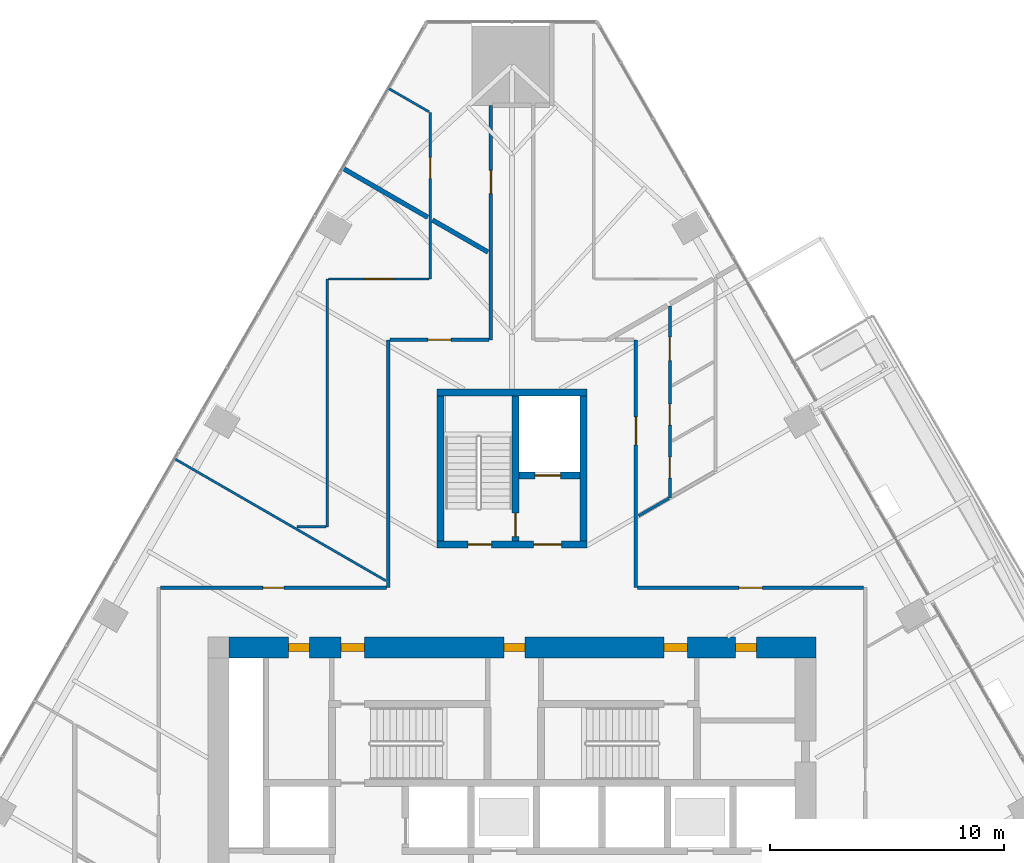
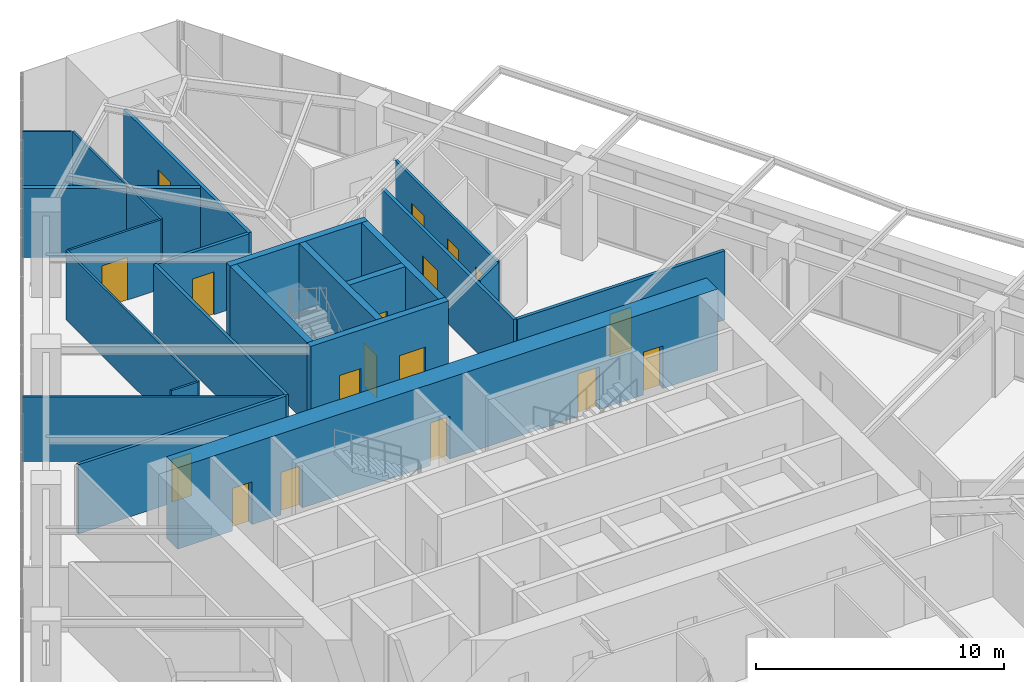
# One storey, part 24 of 29: 23 walls, 19 doors, 19 openings.
"""IFC4 building model written with IfcOpenShell, lengths in metres."""

from ifc_helpers import new_model, si_unit, direction, frame, frame_2d, origin, place, context, subcontext, project, spatial, rectangle, extrude, material, layer, layer_set, type_object, element, fill, save


model = new_model("IFC4")

# Units and contexts
model_context = context("Model", 3, precision=1e-05, world=origin(), true_north=direction((0.0, 1.0)))
body_context = subcontext(model_context, "Body", "Model", "MODEL_VIEW")
ifc_project = project(units=[si_unit("LENGTHUNIT", "METRE"), si_unit("AREAUNIT", "SQUARE_METRE"), si_unit("VOLUMEUNIT", "CUBIC_METRE"), si_unit("PLANEANGLEUNIT", "RADIAN"), si_unit("MASSUNIT", "GRAM", prefix="KILO")], contexts=[model_context])

# Site, building, storey
site_placement = place(None, origin())
site = spatial("IfcSite", under=ifc_project, at=site_placement, CompositionType="ELEMENT")
building_placement = place(site_placement, origin())
building = spatial("IfcBuilding", under=site, at=building_placement, Name="Firuza Gate Tower and Library", CompositionType="ELEMENT")
storey_placement = place(building_placement, frame((0.0, 0.0, 48.39990234375)))
storey = spatial("IfcBuildingStorey", under=building, at=storey_placement, Name="L10", CompositionType="ELEMENT", Elevation=48.39990234375)

# Wall, openings, doors
ifc_material_1 = material(Name="Concrete C80/95", Category="concrete")
ifc_layer_1 = layer(ifc_material_1, 0.300048828125)
ifc_layer_set_1 = layer_set([ifc_layer_1], Name="Core wall 300 C80/95")
wall_type_1 = type_object("IfcWallType", Name="Core wall 300 C80/95", PredefinedType="SHEAR", material=ifc_layer_set_1)
wall_1_placement = place(storey_placement, frame((71.800048828125, 87.949951171875, 0.0), z_axis=(0.0, 0.0, 1.0), x_axis=(1.0, 0.0, 0.0)))
wall_1 = element("IfcWall", 1, at=wall_1_placement, inside=storey, type_object=wall_type_1, Name="Core wall L10 34", PredefinedType="SHEAR", context=body_context, shape_type="SweptSolid", body=[
    extrude(rectangle(XDim=6.39990234375, YDim=0.300048828125, at=frame_2d((3.199951171875, 0.0))), origin(), (0.0, 0.0, 1.0), 4.0),
])
opening_1_placement = place(wall_1_placement, frame((1.324951171875, 0.0, 0.0)))
opening_1 = element("IfcOpeningElement", 2, at=opening_1_placement, cuts=wall_1, Name="Opening L10-K17", PredefinedType="OPENING", context=body_context, shape_type="SweptSolid", body=[
    extrude(rectangle(XDim=1.0, YDim=2.10009765625, at=frame_2d((0.5, 1.050048828125))), frame((0.0, 0.16015625, 0.0), z_axis=(0.0, -1.0, 0.0), x_axis=(1.0, 0.0, 0.0)), (0.0, 0.0, 1.0), 0.320068359375),
])
opening_2_placement = place(wall_1_placement, frame((4.125, 0.0, 0.0)))
opening_2 = element("IfcOpeningElement", 3, at=opening_2_placement, cuts=wall_1, Name="Opening L10-K19", PredefinedType="OPENING", context=body_context, shape_type="SweptSolid", body=[
    extrude(rectangle(XDim=1.199951171875, YDim=2.10009765625, at=frame_2d((0.60009765625, 1.050048828125))), frame((0.0, 0.16015625, 0.0), z_axis=(0.0, -1.0, 0.0), x_axis=(1.0, 0.0, 0.0)), (0.0, 0.0, 1.0), 0.320068359375),
])
ifc_material_2 = material(Name="Steel", Category="steel")
door_type_1 = type_object("IfcDoorType", Name="Fire door 1000x2100 FD90", OperationType="NOTDEFINED", PredefinedType="DOOR", material=ifc_material_2)
door_1_placement = place(opening_1_placement, origin())
door_1 = element("IfcDoor", 4, at=door_1_placement, inside=storey, type_object=door_type_1, Name="Door L10-K17", OperationType="SINGLE_SWING_RIGHT", OverallHeight=2.10009765625, OverallWidth=1.0, PredefinedType="DOOR", context=body_context, shape_type="SweptSolid", body=[
    extrude(rectangle(XDim=1.0, YDim=2.10009765625, at=frame_2d((0.5, 1.050048828125))), frame((0.0, 0.02490234375, 0.0), z_axis=(0.0, -1.0, 0.0), x_axis=(1.0, 0.0, 0.0)), (0.0, 0.0, 1.0), 0.050048828125),
])
fill(opening_1, door_1)
ifc_material_3 = material(Name="Steel", Category="steel")
door_type_2 = type_object("IfcDoorType", Name="Fire door 1200x2100 FD30S", OperationType="NOTDEFINED", PredefinedType="DOOR", material=ifc_material_3)
door_2_placement = place(opening_2_placement, origin())
door_2 = element("IfcDoor", 5, at=door_2_placement, inside=storey, type_object=door_type_2, Name="Door L10-K19", OperationType="SINGLE_SWING_RIGHT", OverallHeight=2.10009765625, OverallWidth=1.199951171875, PredefinedType="DOOR", context=body_context, shape_type="SweptSolid", body=[
    extrude(rectangle(XDim=1.199951171875, YDim=2.10009765625, at=frame_2d((0.60009765625, 1.050048828125))), frame((0.0, 0.02490234375, 0.0), z_axis=(0.0, -1.0, 0.0), x_axis=(1.0, 0.0, 0.0)), (0.0, 0.0, 1.0), 0.050048828125),
])
fill(opening_2, door_2)

# Walls
wall_2_placement = place(storey_placement, frame((71.800048828125, 94.449951171875, 0.0), z_axis=(0.0, 0.0, 1.0), x_axis=(1.0, 0.0, 0.0)))
element("IfcWall", 6, at=wall_2_placement, inside=storey, type_object=wall_type_1, Name="Core wall L10 35", PredefinedType="SHEAR", context=body_context, shape_type="SweptSolid", body=[
    extrude(rectangle(XDim=6.39990234375, YDim=0.300048828125, at=frame_2d((3.199951171875, 0.0))), origin(), (0.0, 0.0, 1.0), 4.0),
])
for number, where, z_axis, x_axis, name in (
    (7, (71.949951171875, 88.10009765625, 0.0), (0.0, 0.0, 1.0), (0.0, 1.0, 0.0), "Core wall L10 36"),
    (8, (78.050048828125, 88.10009765625, 0.0), (0.0, 0.0, 1.0), (0.0, 1.0, 0.0), "Core wall L10 37"),
):
    element("IfcWall", number, at=place(storey_placement, frame(where, z_axis=z_axis, x_axis=x_axis)), inside=storey, type_object=wall_type_1, Name=name, PredefinedType="SHEAR", context=body_context, shape_type="SweptSolid", body=[
        extrude(rectangle(XDim=6.199951171875, YDim=0.300048828125, at=frame_2d((3.10009765625, 0.0))), origin(), (0.0, 0.0, 1.0), 4.0),
    ])

# Wall, opening, door
wall_3_placement = place(storey_placement, frame((75.300048828125, 90.89990234375, 0.0), z_axis=(0.0, 0.0, 1.0), x_axis=(1.0, 0.0, 0.0)))
wall_3 = element("IfcWall", 9, at=wall_3_placement, inside=storey, type_object=wall_type_1, Name="Core wall L10 38", PredefinedType="SHEAR", context=body_context, shape_type="SweptSolid", body=[
    extrude(rectangle(XDim=2.599853515625, YDim=0.300048828125, at=frame_2d((1.2998046875, 0.0))), origin(), (0.0, 0.0, 1.0), 4.0),
])
opening_3_placement = place(wall_3_placement, frame((0.675048828125, 0.0, 0.0)))
opening_3 = element("IfcOpeningElement", 10, at=opening_3_placement, cuts=wall_3, Name="Opening LD-SV1-L10", PredefinedType="OPENING", context=body_context, shape_type="SweptSolid", body=[
    extrude(rectangle(XDim=1.10009765625, YDim=2.10009765625, at=frame_2d((0.550048828125, 1.050048828125))), frame((0.0, 0.16015625, 0.0), z_axis=(0.0, -1.0, 0.0), x_axis=(1.0, 0.0, 0.0)), (0.0, 0.0, 1.0), 0.320068359375),
])
ifc_material_4 = material(Name="Stainless steel", Category="steel")
door_type_3 = type_object("IfcDoorType", Name="Lift landing door 1100x2100", OperationType="DOUBLE_DOOR_SLIDING", PredefinedType="DOOR", material=ifc_material_4)
door_3_placement = place(opening_3_placement, origin())
door_3 = element("IfcDoor", 11, at=door_3_placement, inside=storey, type_object=door_type_3, Name="Landing door SV1 L10", OperationType="DOUBLE_DOOR_SLIDING", OverallHeight=2.10009765625, OverallWidth=1.10009765625, PredefinedType="DOOR", context=body_context, shape_type="SweptSolid", body=[
    extrude(rectangle(XDim=1.10009765625, YDim=2.10009765625, at=frame_2d((0.550048828125, 1.050048828125))), frame((0.0, 0.02490234375, 0.0), z_axis=(0.0, -1.0, 0.0), x_axis=(1.0, 0.0, 0.0)), (0.0, 0.0, 1.0), 0.050048828125),
])
fill(opening_3, door_3)

wall_4_placement = place(storey_placement, frame((75.14990234375, 88.10009765625, 0.0), z_axis=(0.0, 0.0, 1.0), x_axis=(0.0, 1.0, 0.0)))
wall_4 = element("IfcWall", 12, at=wall_4_placement, inside=storey, type_object=wall_type_1, Name="Core wall L10 39", PredefinedType="SHEAR", context=body_context, shape_type="SweptSolid", body=[
    extrude(rectangle(XDim=6.199951171875, YDim=0.300048828125, at=frame_2d((3.10009765625, 0.0))), origin(), (0.0, 0.0, 1.0), 4.0),
])
opening_4_placement = place(wall_4_placement, frame((0.18505859375, 0.0, 0.0)))
opening_4 = element("IfcOpeningElement", 13, at=opening_4_placement, cuts=wall_4, Name="Opening L10-K18", PredefinedType="OPENING", context=body_context, shape_type="SweptSolid", body=[
    extrude(rectangle(XDim=1.0, YDim=2.10009765625, at=frame_2d((0.5, 1.050048828125))), frame((0.0, 0.16015625, 0.0), z_axis=(0.0, -1.0, 0.0), x_axis=(1.0, 0.0, 0.0)), (0.0, 0.0, 1.0), 0.320068359375),
])
door_4_placement = place(opening_4_placement, origin())
door_4 = element("IfcDoor", 14, at=door_4_placement, inside=storey, type_object=door_type_1, Name="Door L10-K18", OperationType="SINGLE_SWING_LEFT", OverallHeight=2.10009765625, OverallWidth=1.0, PredefinedType="DOOR", context=body_context, shape_type="SweptSolid", body=[
    extrude(rectangle(XDim=1.0, YDim=2.10009765625, at=frame_2d((0.5, 1.050048828125))), frame((0.0, 0.02490234375, 0.0), z_axis=(0.0, -1.0, 0.0), x_axis=(1.0, 0.0, 0.0)), (0.0, 0.0, 1.0), 0.050048828125),
])
fill(opening_4, door_4)

# Wall, openings, doors
ifc_material_5 = material(Name="Concrete C80/95", Category="concrete")
ifc_layer_2 = layer(ifc_material_5, 0.89990234375)
ifc_layer_set_2 = layer_set([ifc_layer_2], Name="Core wall 900 C80/95")
wall_type_2 = type_object("IfcWallType", Name="Core wall 900 C80/95", PredefinedType="SHEAR", material=ifc_layer_set_2)
wall_5_placement = place(storey_placement, frame((62.89990234375, 83.550048828125, 0.0), z_axis=(0.0, 0.0, 1.0), x_axis=(1.0, 0.0, 0.0)))
wall_5 = element("IfcWall", 15, at=wall_5_placement, inside=storey, type_object=wall_type_2, Name="Core wall L10 2", PredefinedType="SHEAR", context=body_context, shape_type="SweptSolid", body=[
    extrude(rectangle(XDim=25.10009765625, YDim=0.89990234375, at=frame_2d((12.550048828125, 0.0))), origin(), (0.0, 0.0, 1.0), 4.0),
])
opening_5_placement = place(wall_5_placement, frame((4.794921875, 0.0, 0.0)))
opening_5 = element("IfcOpeningElement", 16, at=opening_5_placement, cuts=wall_5, Name="Opening L10-K14", PredefinedType="OPENING", context=body_context, shape_type="SweptSolid", body=[
    extrude(rectangle(XDim=1.0, YDim=2.10009765625, at=frame_2d((0.5, 1.050048828125))), frame((0.0, 0.4599609375, 0.0), z_axis=(0.0, -1.0, 0.0), x_axis=(1.0, 0.0, 0.0)), (0.0, 0.0, 1.0), 0.919921875),
])
opening_6_placement = place(wall_5_placement, frame((18.60498046875, 0.0, 0.0)))
opening_6 = element("IfcOpeningElement", 17, at=opening_6_placement, cuts=wall_5, Name="Opening L10-K16", PredefinedType="OPENING", context=body_context, shape_type="SweptSolid", body=[
    extrude(rectangle(XDim=1.0, YDim=2.10009765625, at=frame_2d((0.5, 1.050048828125))), frame((0.0, 0.4599609375, 0.0), z_axis=(0.0, -1.0, 0.0), x_axis=(1.0, 0.0, 0.0)), (0.0, 0.0, 1.0), 0.919921875),
])
opening_7_placement = place(wall_5_placement, frame((2.550048828125, 0.0, 0.0)))
opening_7 = element("IfcOpeningElement", 18, at=opening_7_placement, cuts=wall_5, Name="Opening L10-K29", PredefinedType="OPENING", context=body_context, shape_type="SweptSolid", body=[
    extrude(rectangle(XDim=0.89990234375, YDim=2.10009765625, at=frame_2d((0.449951171875, 1.050048828125))), frame((0.0, 0.4599609375, 0.0), z_axis=(0.0, -1.0, 0.0), x_axis=(1.0, 0.0, 0.0)), (0.0, 0.0, 1.0), 0.919921875),
])
opening_8_placement = place(wall_5_placement, frame((11.75, 0.0, 0.0)))
opening_8 = element("IfcOpeningElement", 19, at=opening_8_placement, cuts=wall_5, Name="Opening L10-K30", PredefinedType="OPENING", context=body_context, shape_type="SweptSolid", body=[
    extrude(rectangle(XDim=0.89990234375, YDim=2.10009765625, at=frame_2d((0.449951171875, 1.050048828125))), frame((0.0, 0.4599609375, 0.0), z_axis=(0.0, -1.0, 0.0), x_axis=(1.0, 0.0, 0.0)), (0.0, 0.0, 1.0), 0.919921875),
])
opening_9_placement = place(wall_5_placement, frame((21.64990234375, 0.0, 0.0)))
opening_9 = element("IfcOpeningElement", 20, at=opening_9_placement, cuts=wall_5, Name="Opening L10-K32", PredefinedType="OPENING", context=body_context, shape_type="SweptSolid", body=[
    extrude(rectangle(XDim=0.89990234375, YDim=2.10009765625, at=frame_2d((0.449951171875, 1.050048828125))), frame((0.0, 0.4599609375, 0.0), z_axis=(0.0, -1.0, 0.0), x_axis=(1.0, 0.0, 0.0)), (0.0, 0.0, 1.0), 0.919921875),
])
door_5_placement = place(opening_5_placement, origin())
door_5 = element("IfcDoor", 21, at=door_5_placement, inside=storey, type_object=door_type_1, Name="Door L10-K14", OperationType="SINGLE_SWING_LEFT", OverallHeight=2.10009765625, OverallWidth=1.0, PredefinedType="DOOR", context=body_context, shape_type="SweptSolid", body=[
    extrude(rectangle(XDim=1.0, YDim=2.10009765625, at=frame_2d((0.5, 1.050048828125))), frame((0.0, 0.169921875, 0.0), z_axis=(0.0, -1.0, 0.0), x_axis=(1.0, 0.0, 0.0)), (0.0, 0.0, 1.0), 0.33984375),
])
fill(opening_5, door_5)
door_6_placement = place(opening_6_placement, origin())
door_6 = element("IfcDoor", 22, at=door_6_placement, inside=storey, type_object=door_type_1, Name="Door L10-K16", OperationType="SINGLE_SWING_LEFT", OverallHeight=2.10009765625, OverallWidth=1.0, PredefinedType="DOOR", context=body_context, shape_type="SweptSolid", body=[
    extrude(rectangle(XDim=1.0, YDim=2.10009765625, at=frame_2d((0.5, 1.050048828125))), frame((0.0, 0.169921875, 0.0), z_axis=(0.0, -1.0, 0.0), x_axis=(1.0, 0.0, 0.0)), (0.0, 0.0, 1.0), 0.33984375),
])
fill(opening_6, door_6)
ifc_material_6 = material(Name="Steel", Category="steel")
door_type_4 = type_object("IfcDoorType", Name="Fire door 900x2100 FD30S", OperationType="NOTDEFINED", PredefinedType="DOOR", material=ifc_material_6)
door_7_placement = place(opening_7_placement, origin())
door_7 = element("IfcDoor", 23, at=door_7_placement, inside=storey, type_object=door_type_4, Name="Door L10-K29", OperationType="SINGLE_SWING_RIGHT", OverallHeight=2.10009765625, OverallWidth=0.89990234375, PredefinedType="DOOR", context=body_context, shape_type="SweptSolid", body=[
    extrude(rectangle(XDim=0.89990234375, YDim=2.10009765625, at=frame_2d((0.449951171875, 1.050048828125))), frame((0.0, 0.169921875, 0.0), z_axis=(0.0, -1.0, 0.0), x_axis=(1.0, 0.0, 0.0)), (0.0, 0.0, 1.0), 0.33984375),
])
fill(opening_7, door_7)
door_8_placement = place(opening_8_placement, origin())
door_8 = element("IfcDoor", 24, at=door_8_placement, inside=storey, type_object=door_type_4, Name="Door L10-K30", OperationType="SINGLE_SWING_LEFT", OverallHeight=2.10009765625, OverallWidth=0.89990234375, PredefinedType="DOOR", context=body_context, shape_type="SweptSolid", body=[
    extrude(rectangle(XDim=0.89990234375, YDim=2.10009765625, at=frame_2d((0.449951171875, 1.050048828125))), frame((0.0, 0.169921875, 0.0), z_axis=(0.0, -1.0, 0.0), x_axis=(1.0, 0.0, 0.0)), (0.0, 0.0, 1.0), 0.33984375),
])
fill(opening_8, door_8)
door_9_placement = place(opening_9_placement, origin())
door_9 = element("IfcDoor", 25, at=door_9_placement, inside=storey, type_object=door_type_4, Name="Door L10-K32", OperationType="SINGLE_SWING_LEFT", OverallHeight=2.10009765625, OverallWidth=0.89990234375, PredefinedType="DOOR", context=body_context, shape_type="SweptSolid", body=[
    extrude(rectangle(XDim=0.89990234375, YDim=2.10009765625, at=frame_2d((0.449951171875, 1.050048828125))), frame((0.0, 0.169921875, 0.0), z_axis=(0.0, -1.0, 0.0), x_axis=(1.0, 0.0, 0.0)), (0.0, 0.0, 1.0), 0.33984375),
])
fill(opening_9, door_9)

# Wall, opening, door
ifc_material_7 = material(Name="Gypsum board partition")
ifc_layer_3 = layer(ifc_material_7, 0.14990234375)
ifc_layer_set_3 = layer_set([ifc_layer_3], Name="Corridor wall 150 double board on steel studs")
wall_type_3 = type_object("IfcWallType", Name="Corridor wall 150 double board on steel studs", PredefinedType="PARTITIONING", material=ifc_layer_set_3)
wall_6_placement = place(storey_placement, frame((69.625, 86.10009765625, 0.0), z_axis=(0.0, 0.0, 1.0), x_axis=(-1.0, 0.0, 0.0)))
wall_6 = element("IfcWall", 26, at=wall_6_placement, inside=storey, type_object=wall_type_3, Name="f:L10:w003", PredefinedType="PARTITIONING", context=body_context, shape_type="SweptSolid", body=[
    extrude(rectangle(XDim=9.6494140625, YDim=0.14990234375, at=frame_2d((4.82470703125, 0.0))), origin(), (0.0, 0.0, 1.0), 3.400146484375),
])
opening_10_placement = place(wall_6_placement, frame((4.374755859375, 0.0, 0.0)))
opening_10 = element("IfcOpeningElement", 27, at=opening_10_placement, cuts=wall_6, Name="Opening L10-05", PredefinedType="OPENING", context=body_context, shape_type="SweptSolid", body=[
    extrude(rectangle(XDim=0.89990234375, YDim=2.10009765625, at=frame_2d((0.449951171875, 1.050048828125))), frame((0.0, 0.0849609375, 0.0), z_axis=(0.0, -1.0, 0.0), x_axis=(1.0, 0.0, 0.0)), (0.0, 0.0, 1.0), 0.169921875),
])
ifc_material_8 = material(Name="Steel door and timber leaf", Category="steel")
door_type_5 = type_object("IfcDoorType", Name="Fire door 900 x 2100 steel frame, timber leaf", OperationType="NOTDEFINED", PredefinedType="DOOR", material=ifc_material_8)
door_10_placement = place(opening_10_placement, origin())
door_10 = element("IfcDoor", 28, at=door_10_placement, inside=storey, type_object=door_type_5, Name="f:L10:d005", OperationType="SINGLE_SWING_LEFT", OverallHeight=2.10009765625, OverallWidth=0.89990234375, PredefinedType="DOOR", context=body_context, shape_type="SweptSolid", body=[
    extrude(rectangle(XDim=0.89990234375, YDim=2.10009765625, at=frame_2d((0.449951171875, 1.050048828125))), frame((0.0, 0.02490234375, 0.0), z_axis=(0.0, -1.0, 0.0), x_axis=(1.0, 0.0, 0.0)), (0.0, 0.0, 1.0), 0.050048828125),
])
fill(opening_10, door_10)

wall_7_placement = place(storey_placement, frame((80.375, 86.10009765625, 0.0), z_axis=(0.0, 0.0, 1.0), x_axis=(1.0, 0.0, 0.0)))
wall_7 = element("IfcWall", 29, at=wall_7_placement, inside=storey, type_object=wall_type_3, Name="f:L10:w004", PredefinedType="PARTITIONING", context=body_context, shape_type="SweptSolid", body=[
    extrude(rectangle(XDim=9.6494140625, YDim=0.14990234375, at=frame_2d((4.82470703125, 0.0))), origin(), (0.0, 0.0, 1.0), 3.400146484375),
])
opening_11_placement = place(wall_7_placement, frame((4.32470703125, 0.0, 0.0)))
opening_11 = element("IfcOpeningElement", 30, at=opening_11_placement, cuts=wall_7, Name="Opening L10-06", PredefinedType="OPENING", context=body_context, shape_type="SweptSolid", body=[
    extrude(rectangle(XDim=1.0, YDim=2.10009765625, at=frame_2d((0.5, 1.050048828125))), frame((0.0, 0.0849609375, 0.0), z_axis=(0.0, -1.0, 0.0), x_axis=(1.0, 0.0, 0.0)), (0.0, 0.0, 1.0), 0.169921875),
])
ifc_material_9 = material(Name="Steel door and timber leaf", Category="steel")
door_type_6 = type_object("IfcDoorType", Name="Fire door 1000 x 2100 steel frame, timber leaf", OperationType="NOTDEFINED", PredefinedType="DOOR", material=ifc_material_9)
door_11_placement = place(opening_11_placement, origin())
door_11 = element("IfcDoor", 31, at=door_11_placement, inside=storey, type_object=door_type_6, Name="f:L10:d006", OperationType="SINGLE_SWING_LEFT", OverallHeight=2.10009765625, OverallWidth=1.0, PredefinedType="DOOR", context=body_context, shape_type="SweptSolid", body=[
    extrude(rectangle(XDim=1.0, YDim=2.10009765625, at=frame_2d((0.5, 1.050048828125))), frame((0.0, 0.02490234375, 0.0), z_axis=(0.0, -1.0, 0.0), x_axis=(1.0, 0.0, 0.0)), (0.0, 0.0, 1.0), 0.050048828125),
])
fill(opening_11, door_11)

wall_8_placement = place(storey_placement, frame((74.02490234375, 96.699951171875, 0.0), z_axis=(0.0, 0.0, 1.0), x_axis=(-1.0, 0.0, 0.0)))
wall_8 = element("IfcWall", 32, at=wall_8_placement, inside=storey, type_object=wall_type_3, Name="f:L10:w006", PredefinedType="PARTITIONING", context=body_context, shape_type="SweptSolid", body=[
    extrude(rectangle(XDim=4.25, YDim=0.14990234375, at=frame_2d((2.125, 0.0))), origin(), (0.0, 0.0, 1.0), 3.400146484375),
])
opening_12_placement = place(wall_8_placement, frame((1.625, 0.0, 0.0)))
opening_12 = element("IfcOpeningElement", 33, at=opening_12_placement, cuts=wall_8, Name="Opening L10-07", PredefinedType="OPENING", context=body_context, shape_type="SweptSolid", body=[
    extrude(rectangle(XDim=1.0, YDim=2.10009765625, at=frame_2d((0.5, 1.050048828125))), frame((0.0, 0.0849609375, 0.0), z_axis=(0.0, -1.0, 0.0), x_axis=(1.0, 0.0, 0.0)), (0.0, 0.0, 1.0), 0.169921875),
])
door_12_placement = place(opening_12_placement, origin())
door_12 = element("IfcDoor", 34, at=door_12_placement, inside=storey, type_object=door_type_6, Name="f:L10:d007", OperationType="SINGLE_SWING_RIGHT", OverallHeight=2.10009765625, OverallWidth=1.0, PredefinedType="DOOR", context=body_context, shape_type="SweptSolid", body=[
    extrude(rectangle(XDim=1.0, YDim=2.10009765625, at=frame_2d((0.5, 1.050048828125))), frame((0.0, 0.02490234375, 0.0), z_axis=(0.0, -1.0, 0.0), x_axis=(1.0, 0.0, 0.0)), (0.0, 0.0, 1.0), 0.050048828125),
])
fill(opening_12, door_12)

wall_9_placement = place(storey_placement, frame((80.300048828125, 96.699951171875, 0.0), z_axis=(0.0, 0.0, 1.0), x_axis=(0.0, -1.0, 0.0)))
wall_9 = element("IfcWall", 35, at=wall_9_placement, inside=storey, type_object=wall_type_3, Name="f:L10:w035", PredefinedType="PARTITIONING", context=body_context, shape_type="SweptSolid", body=[
    extrude(rectangle(XDim=10.599853515625, YDim=0.14990234375, at=frame_2d((5.2998046875, 0.0))), origin(), (0.0, 0.0, 1.0), 3.400146484375),
])
opening_13_placement = place(wall_9_placement, frame((3.2978515625, 0.0, 0.0)))
opening_13 = element("IfcOpeningElement", 36, at=opening_13_placement, cuts=wall_9, Name="Opening L10-24", PredefinedType="OPENING", context=body_context, shape_type="SweptSolid", body=[
    extrude(rectangle(XDim=1.199951171875, YDim=2.10009765625, at=frame_2d((0.60009765625, 1.050048828125))), frame((0.0, 0.0849609375, 0.0), z_axis=(0.0, -1.0, 0.0), x_axis=(1.0, 0.0, 0.0)), (0.0, 0.0, 1.0), 0.169921875),
])
ifc_material_10 = material(Name="Steel door and timber leaf", Category="steel")
door_type_7 = type_object("IfcDoorType", Name="Fire door 1200 x 2100 steel frame, double leaf", OperationType="NOTDEFINED", PredefinedType="DOOR", material=ifc_material_10)
door_13_placement = place(opening_13_placement, origin())
door_13 = element("IfcDoor", 37, at=door_13_placement, inside=storey, type_object=door_type_7, Name="f:L10:d024", OperationType="DOUBLE_DOOR_SINGLE_SWING", OverallHeight=2.10009765625, OverallWidth=1.199951171875, PredefinedType="DOOR", context=body_context, shape_type="SweptSolid", body=[
    extrude(rectangle(XDim=1.199951171875, YDim=2.10009765625, at=frame_2d((0.60009765625, 1.050048828125))), frame((0.0, 0.02490234375, 0.0), z_axis=(0.0, -1.0, 0.0), x_axis=(1.0, 0.0, 0.0)), (0.0, 0.0, 1.0), 0.050048828125),
])
fill(opening_13, door_13)

wall_10_placement = place(storey_placement, frame((74.10009765625, 96.699951171875, 0.0), z_axis=(0.0, 0.0, 1.0), x_axis=(0.0, 1.0, 0.0)))
wall_10 = element("IfcWall", 38, at=wall_10_placement, inside=storey, type_object=wall_type_3, Name="f:L10:w042", PredefinedType="PARTITIONING", context=body_context, shape_type="SweptSolid", body=[
    extrude(rectangle(XDim=10.019775390625, YDim=0.14990234375, at=frame_2d((5.009765625, 0.0))), origin(), (0.0, 0.0, 1.0), 3.400146484375),
])
opening_14_placement = place(wall_10_placement, frame((6.246337890625, 0.0, 0.0)))
opening_14 = element("IfcOpeningElement", 39, at=opening_14_placement, cuts=wall_10, Name="Opening L10-25", PredefinedType="OPENING", context=body_context, shape_type="SweptSolid", body=[
    extrude(rectangle(XDim=1.0, YDim=2.10009765625, at=frame_2d((0.5, 1.050048828125))), frame((0.0, 0.0849609375, 0.0), z_axis=(0.0, -1.0, 0.0), x_axis=(1.0, 0.0, 0.0)), (0.0, 0.0, 1.0), 0.169921875),
])
door_14_placement = place(opening_14_placement, origin())
door_14 = element("IfcDoor", 40, at=door_14_placement, inside=storey, type_object=door_type_6, Name="f:L10:d025", OperationType="SINGLE_SWING_RIGHT", OverallHeight=2.10009765625, OverallWidth=1.0, PredefinedType="DOOR", context=body_context, shape_type="SweptSolid", body=[
    extrude(rectangle(XDim=1.0, YDim=2.10009765625, at=frame_2d((0.5, 1.050048828125))), frame((0.0, 0.02490234375, 0.0), z_axis=(0.0, -1.0, 0.0), x_axis=(1.0, 0.0, 0.0)), (0.0, 0.0, 1.0), 0.050048828125),
])
fill(opening_14, door_14)

# Walls
wall_11_placement = place(storey_placement, frame((69.699951171875, 86.10009765625, 0.0), z_axis=(0.0, 0.0, 1.0), x_axis=(0.0, 1.0, 0.0)))
element("IfcWall", 41, at=wall_11_placement, inside=storey, type_object=wall_type_3, Name="f:L10:w044", PredefinedType="PARTITIONING", context=body_context, shape_type="SweptSolid", body=[
    extrude(rectangle(XDim=10.599853515625, YDim=0.14990234375, at=frame_2d((5.2998046875, 0.0))), origin(), (0.0, 0.0, 1.0), 3.400146484375),
])
ifc_material_11 = material(Name="Gypsum board partition")
ifc_layer_4 = layer(ifc_material_11, 0.199951171875)
ifc_layer_set_4 = layer_set([ifc_layer_4], Name="Demising wall 200 acoustic double stud")
wall_type_4 = type_object("IfcWallType", Name="Demising wall 200 acoustic double stud", PredefinedType="PARTITIONING", material=ifc_layer_set_4)
wall_12_placement = place(storey_placement, frame((73.972900390625, 100.44921875, 0.0), z_axis=(0.0, 0.0, 1.0), x_axis=(-0.866035715982, 0.499982138324, 0.0)))
element("IfcWall", 42, at=wall_12_placement, inside=storey, type_object=wall_type_4, Name="f:L10:w058", PredefinedType="PARTITIONING", context=body_context, shape_type="SweptSolid", body=[
    extrude(rectangle(XDim=2.73974609375, YDim=0.199951171875, at=frame_2d((1.369873046875, 0.0))), origin(), (0.0, 0.0, 1.0), 3.400146484375),
])
wall_13_placement = place(storey_placement, frame((71.39990234375, 101.9345703125, 0.0), z_axis=(0.0, 0.0, 1.0), x_axis=(-0.866003715822, 0.500037562771, 0.0)))
element("IfcWall", 43, at=wall_13_placement, inside=storey, type_object=wall_type_4, Name="f:L10:w077", PredefinedType="PARTITIONING", context=body_context, shape_type="SweptSolid", body=[
    extrude(rectangle(XDim=4.202880859375, YDim=0.199951171875, at=frame_2d((2.1015625, 0.0))), origin(), (0.0, 0.0, 1.0), 3.400146484375),
])
ifc_material_12 = material(Name="Gypsum board partition")
ifc_layer_5 = layer(ifc_material_12, 0.10009765625)
ifc_layer_set_5 = layer_set([ifc_layer_5], Name="Partition 100 gypsum board on steel studs")
wall_type_5 = type_object("IfcWallType", Name="Partition 100 gypsum board on steel studs", PredefinedType="PARTITIONING", material=ifc_layer_set_5)
wall_14_placement = place(storey_placement, frame((65.811767578125, 88.699951171875, 0.0), z_axis=(0.0, 0.0, 1.0), x_axis=(1.0, 0.0, 0.0)))
element("IfcWall", 44, at=wall_14_placement, inside=storey, type_object=wall_type_5, Name="f:L10:w005", PredefinedType="PARTITIONING", context=body_context, shape_type="SweptSolid", body=[
    extrude(rectangle(XDim=1.23828125, YDim=0.10009765625, at=frame_2d((0.619140625, 0.0))), origin(), (0.0, 0.0, 1.0), 3.400146484375),
])

# Wall, opening, door
wall_15_placement = place(storey_placement, frame((71.449951171875, 99.300048828125, 0.0), z_axis=(0.0, 0.0, 1.0), x_axis=(-1.0, 0.0, 0.0)))
wall_15 = element("IfcWall", 45, at=wall_15_placement, inside=storey, type_object=wall_type_5, Name="f:L10:w008", PredefinedType="PARTITIONING", context=body_context, shape_type="SweptSolid", body=[
    extrude(rectangle(XDim=4.300048828125, YDim=0.10009765625, at=frame_2d((2.14990234375, 0.0))), origin(), (0.0, 0.0, 1.0), 3.400146484375),
])
opening_15_placement = place(wall_15_placement, frame((1.550048828125, 0.0, 0.0)))
opening_15 = element("IfcOpeningElement", 46, at=opening_15_placement, cuts=wall_15, Name="Opening L10-09", PredefinedType="OPENING", context=body_context, shape_type="SweptSolid", body=[
    extrude(rectangle(XDim=1.199951171875, YDim=2.10009765625, at=frame_2d((0.60009765625, 1.050048828125))), frame((0.0, 0.06005859375, 0.0), z_axis=(0.0, -1.0, 0.0), x_axis=(1.0, 0.0, 0.0)), (0.0, 0.0, 1.0), 0.1201171875),
])
ifc_material_13 = material(Name="Glazed aluminium door", Category="aluminium")
door_type_8 = type_object("IfcDoorType", Name="Door 1200 x 2100 glazed double leaf", OperationType="NOTDEFINED", PredefinedType="DOOR", material=ifc_material_13)
door_15_placement = place(opening_15_placement, origin())
door_15 = element("IfcDoor", 47, at=door_15_placement, inside=storey, type_object=door_type_8, Name="f:L10:d009", OperationType="DOUBLE_DOOR_SINGLE_SWING", OverallHeight=2.10009765625, OverallWidth=1.199951171875, PredefinedType="DOOR", context=body_context, shape_type="SweptSolid", body=[
    extrude(rectangle(XDim=1.199951171875, YDim=2.10009765625, at=frame_2d((0.60009765625, 1.050048828125))), frame((0.0, 0.02490234375, 0.0), z_axis=(0.0, -1.0, 0.0), x_axis=(1.0, 0.0, 0.0)), (0.0, 0.0, 1.0), 0.050048828125),
])
fill(opening_15, door_15)

wall_16_placement = place(storey_placement, frame((71.5, 106.418212890625, 0.0), z_axis=(0.0, 0.0, 1.0), x_axis=(0.0, -1.0, 0.0)))
wall_16 = element("IfcWall", 48, at=wall_16_placement, inside=storey, type_object=wall_type_5, Name="f:L10:w043", PredefinedType="PARTITIONING", context=body_context, shape_type="SweptSolid", body=[
    extrude(rectangle(XDim=7.1181640625, YDim=0.10009765625, at=frame_2d((3.55908203125, 0.0))), origin(), (0.0, 0.0, 1.0), 3.400146484375),
])
opening_16_placement = place(wall_16_placement, frame((1.920654296875, 0.0, 0.0)))
opening_16 = element("IfcOpeningElement", 49, at=opening_16_placement, cuts=wall_16, Name="Opening L10-26", PredefinedType="OPENING", context=body_context, shape_type="SweptSolid", body=[
    extrude(rectangle(XDim=0.89990234375, YDim=2.10009765625, at=frame_2d((0.449951171875, 1.050048828125))), frame((0.0, 0.06005859375, 0.0), z_axis=(0.0, -1.0, 0.0), x_axis=(1.0, 0.0, 0.0)), (0.0, 0.0, 1.0), 0.1201171875),
])
ifc_material_14 = material(Name="Timber door", Category="wood")
door_type_9 = type_object("IfcDoorType", Name="Door 900 x 2100 timber leaf", OperationType="NOTDEFINED", PredefinedType="DOOR", material=ifc_material_14)
door_16_placement = place(opening_16_placement, origin())
door_16 = element("IfcDoor", 50, at=door_16_placement, inside=storey, type_object=door_type_9, Name="f:L10:d026", OperationType="SINGLE_SWING_RIGHT", OverallHeight=2.10009765625, OverallWidth=0.89990234375, PredefinedType="DOOR", context=body_context, shape_type="SweptSolid", body=[
    extrude(rectangle(XDim=0.89990234375, YDim=2.10009765625, at=frame_2d((0.449951171875, 1.050048828125))), frame((0.0, 0.02490234375, 0.0), z_axis=(0.0, -1.0, 0.0), x_axis=(1.0, 0.0, 0.0)), (0.0, 0.0, 1.0), 0.050048828125),
])
fill(opening_16, door_16)

# Walls
wall_17_placement = place(storey_placement, frame((67.10009765625, 88.699951171875, 0.0), z_axis=(0.0, 0.0, 1.0), x_axis=(0.0, 1.0, 0.0)))
element("IfcWall", 51, at=wall_17_placement, inside=storey, type_object=wall_type_5, Name="f:L10:w045", PredefinedType="PARTITIONING", context=body_context, shape_type="SweptSolid", body=[
    extrude(rectangle(XDim=10.60009765625, YDim=0.10009765625, at=frame_2d((5.300048828125, 0.0))), origin(), (0.0, 0.0, 1.0), 3.400146484375),
])
wall_18_placement = place(storey_placement, frame((71.449951171875, 106.447265625, 0.0), z_axis=(0.0, 0.0, 1.0), x_axis=(-0.866022120267, 0.500005687176, 0.0)))
element("IfcWall", 52, at=wall_18_placement, inside=storey, type_object=wall_type_5, Name="f:L10:w057", PredefinedType="PARTITIONING", context=body_context, shape_type="SweptSolid", body=[
    extrude(rectangle(XDim=1.98974609375, YDim=0.10009765625, at=frame_2d((0.994873046875, 0.0))), origin(), (0.0, 0.0, 1.0), 3.400146484375),
])
wall_19_placement = place(storey_placement, frame((69.598876953125, 86.403564453125, 0.0), z_axis=(0.0, 0.0, 1.0), x_axis=(-0.866034815185, 0.499983698621, 0.0)))
element("IfcWall", 53, at=wall_19_placement, inside=storey, type_object=wall_type_5, Name="f:L10:w059", PredefinedType="PARTITIONING", context=body_context, shape_type="SweptSolid", body=[
    extrude(rectangle(XDim=10.408447265625, YDim=0.10009765625, at=frame_2d((5.2041015625, 0.0))), origin(), (0.0, 0.0, 1.0), 3.1650390625),
])
ifc_material_15 = material(Name="Gypsum board partition")
ifc_layer_6 = layer(ifc_material_15, 0.1201171875)
ifc_layer_set_6 = layer_set([ifc_layer_6], Name="Wet-area partition 120 moisture-resistant board")
wall_type_6 = type_object("IfcWallType", Name="Wet-area partition 120 moisture-resistant board", PredefinedType="PARTITIONING", material=ifc_layer_set_6)
wall_20_placement = place(storey_placement, frame((80.40966796875, 89.17041015625, 0.0), z_axis=(0.0, 0.0, 1.0), x_axis=(0.866055123991, 0.49994851956, 0.0)))
element("IfcWall", 54, at=wall_20_placement, inside=storey, type_object=wall_type_6, Name="f:L10:w023", PredefinedType="PARTITIONING", context=body_context, shape_type="SweptSolid", body=[
    extrude(rectangle(XDim=1.495849609375, YDim=0.1201171875, at=frame_2d((0.748046875, 0.0))), origin(), (0.0, 0.0, 1.0), 3.400146484375),
])

# Wall, openings, doors
wall_21_placement = place(storey_placement, frame((81.75, 89.9443359375, 0.0), z_axis=(0.0, 0.0, 1.0), x_axis=(0.0, 1.0, 0.0)))
wall_21 = element("IfcWall", 55, at=wall_21_placement, inside=storey, type_object=wall_type_6, Name="f:L10:w034", PredefinedType="PARTITIONING", context=body_context, shape_type="SweptSolid", body=[
    extrude(rectangle(XDim=8.20556640625, YDim=0.1201171875, at=frame_2d((4.102783203125, 0.0))), origin(), (0.0, 0.0, 1.0), 3.400146484375),
])
opening_17_placement = place(wall_21_placement, frame((0.83544921875, 0.0, 0.0)))
opening_17 = element("IfcOpeningElement", 56, at=opening_17_placement, cuts=wall_21, Name="Opening L10-21", PredefinedType="OPENING", context=body_context, shape_type="SweptSolid", body=[
    extrude(rectangle(XDim=0.89990234375, YDim=2.10009765625, at=frame_2d((0.449951171875, 1.050048828125))), frame((0.0, 0.070068359375, 0.0), z_axis=(0.0, -1.0, 0.0), x_axis=(1.0, 0.0, 0.0)), (0.0, 0.0, 1.0), 0.14013671875),
])
opening_18_placement = place(wall_21_placement, frame((3.10107421875, 0.0, 0.0)))
opening_18 = element("IfcOpeningElement", 57, at=opening_18_placement, cuts=wall_21, Name="Opening L10-22", PredefinedType="OPENING", context=body_context, shape_type="SweptSolid", body=[
    extrude(rectangle(XDim=0.89990234375, YDim=2.10009765625, at=frame_2d((0.449951171875, 1.050048828125))), frame((0.0, 0.070068359375, 0.0), z_axis=(0.0, -1.0, 0.0), x_axis=(1.0, 0.0, 0.0)), (0.0, 0.0, 1.0), 0.14013671875),
])
opening_19_placement = place(wall_21_placement, frame((5.86865234375, 0.0, 0.0)))
opening_19 = element("IfcOpeningElement", 58, at=opening_19_placement, cuts=wall_21, Name="Opening L10-23", PredefinedType="OPENING", context=body_context, shape_type="SweptSolid", body=[
    extrude(rectangle(XDim=1.0, YDim=2.10009765625, at=frame_2d((0.5, 1.050048828125))), frame((0.0, 0.070068359375, 0.0), z_axis=(0.0, -1.0, 0.0), x_axis=(1.0, 0.0, 0.0)), (0.0, 0.0, 1.0), 0.14013671875),
])
ifc_material_16 = material(Name="Timber door", Category="wood")
door_type_10 = type_object("IfcDoorType", Name="Door 1000 x 2100 timber leaf", OperationType="NOTDEFINED", PredefinedType="DOOR", material=ifc_material_16)
door_17_placement = place(opening_19_placement, origin())
door_17 = element("IfcDoor", 59, at=door_17_placement, inside=storey, type_object=door_type_10, Name="f:L10:d023", OperationType="SINGLE_SWING_LEFT", OverallHeight=2.10009765625, OverallWidth=1.0, PredefinedType="DOOR", context=body_context, shape_type="SweptSolid", body=[
    extrude(rectangle(XDim=1.0, YDim=2.10009765625, at=frame_2d((0.5, 1.050048828125))), frame((0.0, 0.02490234375, 0.0), z_axis=(0.0, -1.0, 0.0), x_axis=(1.0, 0.0, 0.0)), (0.0, 0.0, 1.0), 0.050048828125),
])
fill(opening_19, door_17)
door_18_placement = place(opening_17_placement, origin())
door_18 = element("IfcDoor", 60, at=door_18_placement, inside=storey, type_object=door_type_9, Name="f:L10:d021", OperationType="SINGLE_SWING_LEFT", OverallHeight=2.10009765625, OverallWidth=0.89990234375, PredefinedType="DOOR", context=body_context, shape_type="SweptSolid", body=[
    extrude(rectangle(XDim=0.89990234375, YDim=2.10009765625, at=frame_2d((0.449951171875, 1.050048828125))), frame((0.0, 0.02490234375, 0.0), z_axis=(0.0, -1.0, 0.0), x_axis=(1.0, 0.0, 0.0)), (0.0, 0.0, 1.0), 0.050048828125),
])
fill(opening_17, door_18)
door_19_placement = place(opening_18_placement, origin())
door_19 = element("IfcDoor", 61, at=door_19_placement, inside=storey, type_object=door_type_9, Name="f:L10:d022", OperationType="SINGLE_SWING_RIGHT", OverallHeight=2.10009765625, OverallWidth=0.89990234375, PredefinedType="DOOR", context=body_context, shape_type="SweptSolid", body=[
    extrude(rectangle(XDim=0.89990234375, YDim=2.10009765625, at=frame_2d((0.449951171875, 1.050048828125))), frame((0.0, 0.02490234375, 0.0), z_axis=(0.0, -1.0, 0.0), x_axis=(1.0, 0.0, 0.0)), (0.0, 0.0, 1.0), 0.050048828125),
])
fill(opening_18, door_19)

save(model, "model.ifc")
